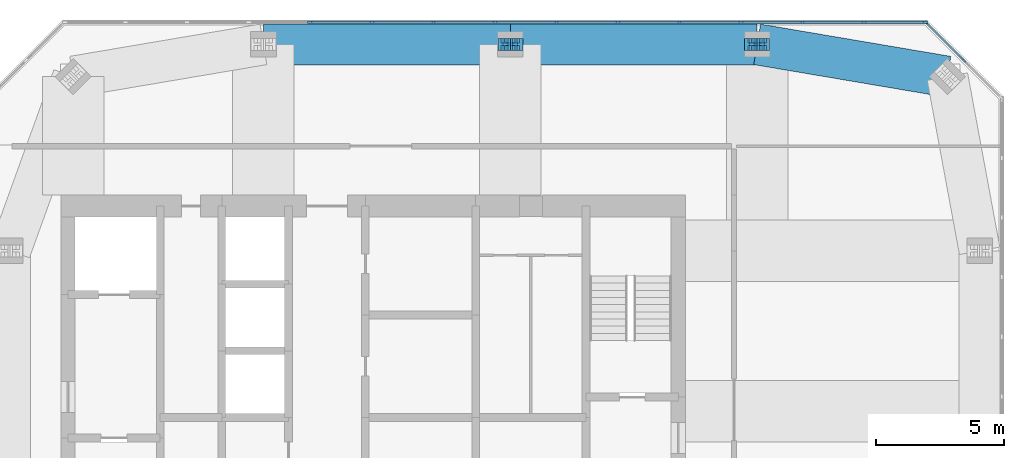
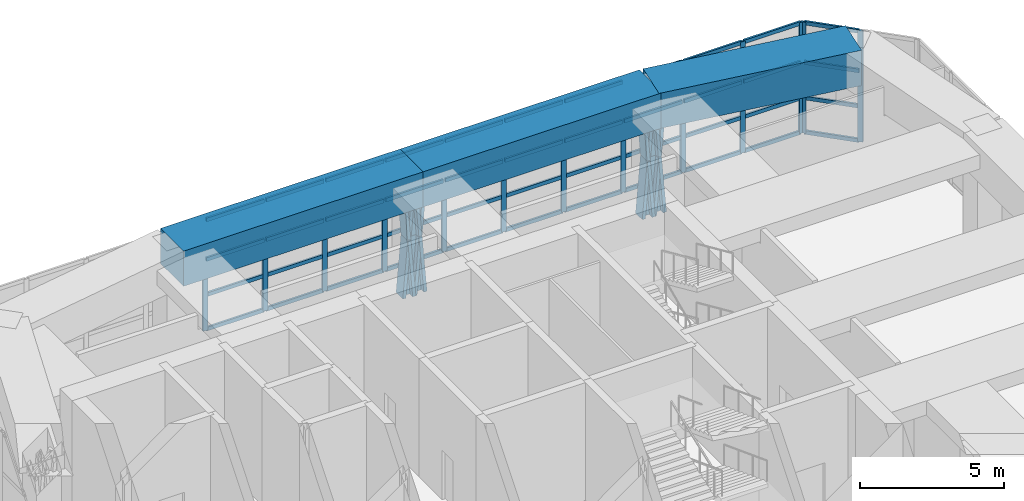
# One storey, part 7 of 14: 65 members, 3 beams, 2 elements without a shape of their own.
"""IFC4 building model written with IfcOpenShell, lengths in metres."""

from ifc_helpers import new_model, si_unit, direction, frame, origin, origin_2d, place, context, subcontext, project, spatial, rectangle, i_section, extrude, material, material_profile, profile_set, type_object, element, aggregate, save


model = new_model("IFC4")

# Units and contexts
model_context = context("Model", 3, precision=1e-05, world=origin(), true_north=direction((0.0, 1.0)))
body_context = subcontext(model_context, "Body", "Model", "MODEL_VIEW")
ifc_project = project(units=[si_unit("LENGTHUNIT", "METRE"), si_unit("AREAUNIT", "SQUARE_METRE"), si_unit("VOLUMEUNIT", "CUBIC_METRE"), si_unit("PLANEANGLEUNIT", "RADIAN"), si_unit("MASSUNIT", "GRAM", prefix="KILO")], contexts=[model_context])

# Site, building, storey
site_placement = place(None, origin())
site = spatial("IfcSite", under=ifc_project, at=site_placement, CompositionType="ELEMENT")
building_placement = place(site_placement, origin())
building = spatial("IfcBuilding", under=site, at=building_placement, Name="Jalousie Tower", CompositionType="ELEMENT")
storey_placement = place(building_placement, frame((0.0, 0.0, 267.75)))
storey = spatial("IfcBuildingStorey", under=building, at=storey_placement, Name="L73", CompositionType="ELEMENT", Elevation=267.75)

# Curtain wall, members
ifc_material_1 = material(Name="Aluminium curtain wall", Category="aluminium")
curtain_wall_type = type_object("IfcCurtainWallType", Name="CROWN LOUVRE WALL", PredefinedType="USERDEFINED", material=ifc_material_1)
curtain_wall_1_placement = place(storey_placement, origin())
curtain_wall_1 = element("IfcCurtainWall", 1, at=curtain_wall_1_placement, inside=storey, type_object=curtain_wall_type, Name="Crown Louvre Wall L73 4", ObjectType="CROWN LOUVRE WALL", PredefinedType="USERDEFINED")
ifc_material_2 = material(Name="Aluminium mullion", Category="aluminium")
ifc_material_profile_1 = material_profile(ifc_material_2, rectangle(XDim=0.080078125, YDim=0.199951171875, at=origin_2d()), Name="MULLION 80x200")
ifc_profile_set_1 = profile_set([ifc_material_profile_1], Name="Aluminium mullion")
member_type_1 = type_object("IfcMemberType", Name="CROWN LOUVRE WALL MULLION", PredefinedType="MULLION", material=ifc_profile_set_1)
member_1_placement = place(storey_placement, frame((54.9306640625, 32.4306640625, 0.0), z_axis=(0.0, 0.0, 1.0), x_axis=(-0.707106781187, -0.707106781187, 0.0)))
member_1 = element("IfcMember", 2, at=member_1_placement, type_object=member_type_1, Name="CW-L mullion 2", PredefinedType="MULLION", context=body_context, shape_type="SweptSolid", body=[
    extrude(rectangle(XDim=0.080078125, YDim=0.199951171875, at=origin_2d()), origin(), (0.0, 0.0, 1.0), 4.719970703125),
])
member_2_placement = place(storey_placement, frame((53.47705078125, 33.88427734375, 0.0), z_axis=(0.0, 0.0, 1.0), x_axis=(-0.707106781187, -0.707106781187, 0.0)))
member_2 = element("IfcMember", 3, at=member_2_placement, type_object=member_type_1, Name="CW-L mullion 3", PredefinedType="MULLION", context=body_context, shape_type="SweptSolid", body=[
    extrude(rectangle(XDim=0.080078125, YDim=0.199951171875, at=origin_2d()), origin(), (0.0, 0.0, 1.0), 4.719970703125),
])

curtain_wall_2_placement = place(storey_placement, origin())
curtain_wall_2 = element("IfcCurtainWall", 4, at=curtain_wall_2_placement, inside=storey, type_object=curtain_wall_type, Name="Crown Louvre Wall L73 5", ObjectType="CROWN LOUVRE WALL", PredefinedType="USERDEFINED")
member_3_placement = place(storey_placement, frame((53.40869140625, 33.91259765625, 0.0), z_axis=(0.0, 0.0, 1.0), x_axis=(0.0, -1.0, 0.0)))
member_3 = element("IfcMember", 5, at=member_3_placement, type_object=member_type_1, Name="CW-L mullion 1", PredefinedType="MULLION", context=body_context, shape_type="SweptSolid", body=[
    extrude(rectangle(XDim=0.080078125, YDim=0.199951171875, at=origin_2d()), origin(), (0.0, 0.0, 1.0), 4.719970703125),
])
member_4_placement = place(storey_placement, frame((51.048828125, 33.91259765625, 0.0), z_axis=(0.0, 0.0, 1.0), x_axis=(0.0, -1.0, 0.0)))
member_4 = element("IfcMember", 6, at=member_4_placement, type_object=member_type_1, Name="CW-L mullion 2", PredefinedType="MULLION", context=body_context, shape_type="SweptSolid", body=[
    extrude(rectangle(XDim=0.080078125, YDim=0.199951171875, at=origin_2d()), origin(), (0.0, 0.0, 1.0), 4.719970703125),
])
member_5_placement = place(storey_placement, frame((48.649169921875, 33.91259765625, 0.0), z_axis=(0.0, 0.0, 1.0), x_axis=(0.0, -1.0, 0.0)))
member_5 = element("IfcMember", 7, at=member_5_placement, type_object=member_type_1, Name="CW-L mullion 3", PredefinedType="MULLION", context=body_context, shape_type="SweptSolid", body=[
    extrude(rectangle(XDim=0.080078125, YDim=0.199951171875, at=origin_2d()), origin(), (0.0, 0.0, 1.0), 4.719970703125),
])
member_6_placement = place(storey_placement, frame((46.249267578125, 33.91259765625, 0.0), z_axis=(0.0, 0.0, 1.0), x_axis=(0.0, -1.0, 0.0)))
member_6 = element("IfcMember", 8, at=member_6_placement, type_object=member_type_1, Name="CW-L mullion 4", PredefinedType="MULLION", context=body_context, shape_type="SweptSolid", body=[
    extrude(rectangle(XDim=0.080078125, YDim=0.199951171875, at=origin_2d()), origin(), (0.0, 0.0, 1.0), 4.719970703125),
])
member_7_placement = place(storey_placement, frame((43.849365234375, 33.91259765625, 0.0), z_axis=(0.0, 0.0, 1.0), x_axis=(0.0, -1.0, 0.0)))
member_7 = element("IfcMember", 9, at=member_7_placement, type_object=member_type_1, Name="CW-L mullion 5", PredefinedType="MULLION", context=body_context, shape_type="SweptSolid", body=[
    extrude(rectangle(XDim=0.080078125, YDim=0.199951171875, at=origin_2d()), origin(), (0.0, 0.0, 1.0), 4.719970703125),
])
member_8_placement = place(storey_placement, frame((41.44970703125, 33.91259765625, 0.0), z_axis=(0.0, 0.0, 1.0), x_axis=(0.0, -1.0, 0.0)))
member_8 = element("IfcMember", 10, at=member_8_placement, type_object=member_type_1, Name="CW-L mullion 6", PredefinedType="MULLION", context=body_context, shape_type="SweptSolid", body=[
    extrude(rectangle(XDim=0.080078125, YDim=0.199951171875, at=origin_2d()), origin(), (0.0, 0.0, 1.0), 4.719970703125),
])
member_9_placement = place(storey_placement, frame((39.0498046875, 33.91259765625, 0.0), z_axis=(0.0, 0.0, 1.0), x_axis=(0.0, -1.0, 0.0)))
member_9 = element("IfcMember", 11, at=member_9_placement, type_object=member_type_1, Name="CW-L mullion 7", PredefinedType="MULLION", context=body_context, shape_type="SweptSolid", body=[
    extrude(rectangle(XDim=0.080078125, YDim=0.199951171875, at=origin_2d()), origin(), (0.0, 0.0, 1.0), 4.719970703125),
])
member_10_placement = place(storey_placement, frame((36.64990234375, 33.91259765625, 0.0), z_axis=(0.0, 0.0, 1.0), x_axis=(0.0, -1.0, 0.0)))
member_10 = element("IfcMember", 12, at=member_10_placement, type_object=member_type_1, Name="CW-L mullion 8", PredefinedType="MULLION", context=body_context, shape_type="SweptSolid", body=[
    extrude(rectangle(XDim=0.080078125, YDim=0.199951171875, at=origin_2d()), origin(), (0.0, 0.0, 1.0), 4.719970703125),
])
member_11_placement = place(storey_placement, frame((34.250244140625, 33.91259765625, 0.0), z_axis=(0.0, 0.0, 1.0), x_axis=(0.0, -1.0, 0.0)))
member_11 = element("IfcMember", 13, at=member_11_placement, type_object=member_type_1, Name="CW-L mullion 9", PredefinedType="MULLION", context=body_context, shape_type="SweptSolid", body=[
    extrude(rectangle(XDim=0.080078125, YDim=0.199951171875, at=origin_2d()), origin(), (0.0, 0.0, 1.0), 4.719970703125),
])
member_12_placement = place(storey_placement, frame((31.850341796875, 33.91259765625, 0.0), z_axis=(0.0, 0.0, 1.0), x_axis=(0.0, -1.0, 0.0)))
member_12 = element("IfcMember", 14, at=member_12_placement, type_object=member_type_1, Name="CW-L mullion 10", PredefinedType="MULLION", context=body_context, shape_type="SweptSolid", body=[
    extrude(rectangle(XDim=0.080078125, YDim=0.199951171875, at=origin_2d()), origin(), (0.0, 0.0, 1.0), 4.719970703125),
])
member_13_placement = place(storey_placement, frame((29.450439453125, 33.91259765625, 0.0), z_axis=(0.0, 0.0, 1.0), x_axis=(0.0, -1.0, 0.0)))
member_13 = element("IfcMember", 15, at=member_13_placement, type_object=member_type_1, Name="CW-L mullion 11", PredefinedType="MULLION", context=body_context, shape_type="SweptSolid", body=[
    extrude(rectangle(XDim=0.080078125, YDim=0.199951171875, at=origin_2d()), origin(), (0.0, 0.0, 1.0), 4.719970703125),
])

# Member
ifc_material_3 = material(Name="Aluminium transom", Category="aluminium")
ifc_material_profile_2 = material_profile(ifc_material_3, rectangle(XDim=0.080078125, YDim=0.159912109375, at=origin_2d()), Name="TRANSOM 80x160")
ifc_profile_set_2 = profile_set([ifc_material_profile_2], Name="Aluminium transom")
member_type_2 = type_object("IfcMemberType", Name="CROWN LOUVRE WALL TRANSOM", PredefinedType="USERDEFINED", material=ifc_profile_set_2)
member_14_placement = place(storey_placement, frame((54.90234375, 32.458984375, 0.0400390625), z_axis=(-0.707106781187, 0.707106781187, 0.0), x_axis=(-0.707106781187, -0.707106781187, 0.0)))
member_14 = element("IfcMember", 16, at=member_14_placement, type_object=member_type_2, Name="CW-L transom 2.1", ObjectType="TRANSOM", PredefinedType="USERDEFINED", context=body_context, shape_type="SweptSolid", body=[
    extrude(rectangle(XDim=0.080078125, YDim=0.159912109375, at=origin_2d()), origin(), (0.0, 0.0, 1.0), 1.9755859375),
])

member_15_placement = place(storey_placement, frame((54.90234375, 32.458984375, 1.5), z_axis=(-0.707106781187, 0.707106781187, 0.0), x_axis=(-0.707106781187, -0.707106781187, 0.0)))
member_15 = element("IfcMember", 17, at=member_15_placement, type_object=member_type_2, Name="CW-L transom 2.2", ObjectType="TRANSOM", PredefinedType="USERDEFINED", context=body_context, shape_type="SweptSolid", body=[
    extrude(rectangle(XDim=0.080078125, YDim=0.159912109375, at=origin_2d()), origin(), (0.0, 0.0, 1.0), 1.9755859375),
])

member_16_placement = place(storey_placement, frame((54.90234375, 32.458984375, 3.0), z_axis=(-0.707106781187, 0.707106781187, 0.0), x_axis=(-0.707106781187, -0.707106781187, 0.0)))
member_16 = element("IfcMember", 18, at=member_16_placement, type_object=member_type_2, Name="CW-L transom 2.3", ObjectType="TRANSOM", PredefinedType="USERDEFINED", context=body_context, shape_type="SweptSolid", body=[
    extrude(rectangle(XDim=0.080078125, YDim=0.159912109375, at=origin_2d()), origin(), (0.0, 0.0, 1.0), 1.9755859375),
])

member_17_placement = place(storey_placement, frame((54.90234375, 32.458984375, 4.679931640625), z_axis=(-0.707106781187, 0.707106781187, 0.0), x_axis=(-0.707106781187, -0.707106781187, 0.0)))
member_17 = element("IfcMember", 19, at=member_17_placement, type_object=member_type_2, Name="CW-L transom 2.4", ObjectType="TRANSOM", PredefinedType="USERDEFINED", context=body_context, shape_type="SweptSolid", body=[
    extrude(rectangle(XDim=0.080078125, YDim=0.159912109375, at=origin_2d()), origin(), (0.0, 0.0, 1.0), 1.9755859375),
])

aggregate(curtain_wall_1, [member_1, member_2, member_14, member_15, member_16, member_17])

member_18_placement = place(storey_placement, frame((53.36865234375, 33.91259765625, 0.0400390625), z_axis=(-1.0, 0.0, 0.0), x_axis=(0.0, -1.0, 0.0)))
member_18 = element("IfcMember", 20, at=member_18_placement, type_object=member_type_2, Name="CW-L transom 1.1", ObjectType="TRANSOM", PredefinedType="USERDEFINED", context=body_context, shape_type="SweptSolid", body=[
    extrude(rectangle(XDim=0.080078125, YDim=0.159912109375, at=origin_2d()), origin(), (0.0, 0.0, 1.0), 2.27978515625),
])

member_19_placement = place(storey_placement, frame((53.36865234375, 33.91259765625, 1.5), z_axis=(-1.0, 0.0, 0.0), x_axis=(0.0, -1.0, 0.0)))
member_19 = element("IfcMember", 21, at=member_19_placement, type_object=member_type_2, Name="CW-L transom 1.2", ObjectType="TRANSOM", PredefinedType="USERDEFINED", context=body_context, shape_type="SweptSolid", body=[
    extrude(rectangle(XDim=0.080078125, YDim=0.159912109375, at=origin_2d()), origin(), (0.0, 0.0, 1.0), 2.27978515625),
])

member_20_placement = place(storey_placement, frame((53.36865234375, 33.91259765625, 3.0), z_axis=(-1.0, 0.0, 0.0), x_axis=(0.0, -1.0, 0.0)))
member_20 = element("IfcMember", 22, at=member_20_placement, type_object=member_type_2, Name="CW-L transom 1.3", ObjectType="TRANSOM", PredefinedType="USERDEFINED", context=body_context, shape_type="SweptSolid", body=[
    extrude(rectangle(XDim=0.080078125, YDim=0.159912109375, at=origin_2d()), origin(), (0.0, 0.0, 1.0), 2.27978515625),
])

member_21_placement = place(storey_placement, frame((53.36865234375, 33.91259765625, 4.679931640625), z_axis=(-1.0, 0.0, 0.0), x_axis=(0.0, -1.0, 0.0)))
member_21 = element("IfcMember", 23, at=member_21_placement, type_object=member_type_2, Name="CW-L transom 1.4", ObjectType="TRANSOM", PredefinedType="USERDEFINED", context=body_context, shape_type="SweptSolid", body=[
    extrude(rectangle(XDim=0.080078125, YDim=0.159912109375, at=origin_2d()), origin(), (0.0, 0.0, 1.0), 2.27978515625),
])

member_22_placement = place(storey_placement, frame((51.0087890625, 33.91259765625, 0.0400390625), z_axis=(-1.0, 0.0, 0.0), x_axis=(0.0, -1.0, 0.0)))
member_22 = element("IfcMember", 24, at=member_22_placement, type_object=member_type_2, Name="CW-L transom 2.1", ObjectType="TRANSOM", PredefinedType="USERDEFINED", context=body_context, shape_type="SweptSolid", body=[
    extrude(rectangle(XDim=0.080078125, YDim=0.159912109375, at=origin_2d()), origin(), (0.0, 0.0, 1.0), 2.31982421875),
])

member_23_placement = place(storey_placement, frame((51.0087890625, 33.91259765625, 1.5), z_axis=(-1.0, 0.0, 0.0), x_axis=(0.0, -1.0, 0.0)))
member_23 = element("IfcMember", 25, at=member_23_placement, type_object=member_type_2, Name="CW-L transom 2.2", ObjectType="TRANSOM", PredefinedType="USERDEFINED", context=body_context, shape_type="SweptSolid", body=[
    extrude(rectangle(XDim=0.080078125, YDim=0.159912109375, at=origin_2d()), origin(), (0.0, 0.0, 1.0), 2.31982421875),
])

member_24_placement = place(storey_placement, frame((51.0087890625, 33.91259765625, 3.0), z_axis=(-1.0, 0.0, 0.0), x_axis=(0.0, -1.0, 0.0)))
member_24 = element("IfcMember", 26, at=member_24_placement, type_object=member_type_2, Name="CW-L transom 2.3", ObjectType="TRANSOM", PredefinedType="USERDEFINED", context=body_context, shape_type="SweptSolid", body=[
    extrude(rectangle(XDim=0.080078125, YDim=0.159912109375, at=origin_2d()), origin(), (0.0, 0.0, 1.0), 2.31982421875),
])

member_25_placement = place(storey_placement, frame((51.0087890625, 33.91259765625, 4.679931640625), z_axis=(-1.0, 0.0, 0.0), x_axis=(0.0, -1.0, 0.0)))
member_25 = element("IfcMember", 27, at=member_25_placement, type_object=member_type_2, Name="CW-L transom 2.4", ObjectType="TRANSOM", PredefinedType="USERDEFINED", context=body_context, shape_type="SweptSolid", body=[
    extrude(rectangle(XDim=0.080078125, YDim=0.159912109375, at=origin_2d()), origin(), (0.0, 0.0, 1.0), 2.31982421875),
])

member_26_placement = place(storey_placement, frame((48.609130859375, 33.91259765625, 0.0400390625), z_axis=(-1.0, 0.0, 0.0), x_axis=(0.0, -1.0, 0.0)))
member_26 = element("IfcMember", 28, at=member_26_placement, type_object=member_type_2, Name="CW-L transom 3.1", ObjectType="TRANSOM", PredefinedType="USERDEFINED", context=body_context, shape_type="SweptSolid", body=[
    extrude(rectangle(XDim=0.080078125, YDim=0.159912109375, at=origin_2d()), origin(), (0.0, 0.0, 1.0), 2.31982421875),
])

member_27_placement = place(storey_placement, frame((48.609130859375, 33.91259765625, 1.5), z_axis=(-1.0, 0.0, 0.0), x_axis=(0.0, -1.0, 0.0)))
member_27 = element("IfcMember", 29, at=member_27_placement, type_object=member_type_2, Name="CW-L transom 3.2", ObjectType="TRANSOM", PredefinedType="USERDEFINED", context=body_context, shape_type="SweptSolid", body=[
    extrude(rectangle(XDim=0.080078125, YDim=0.159912109375, at=origin_2d()), origin(), (0.0, 0.0, 1.0), 2.31982421875),
])

member_28_placement = place(storey_placement, frame((48.609130859375, 33.91259765625, 3.0), z_axis=(-1.0, 0.0, 0.0), x_axis=(0.0, -1.0, 0.0)))
member_28 = element("IfcMember", 30, at=member_28_placement, type_object=member_type_2, Name="CW-L transom 3.3", ObjectType="TRANSOM", PredefinedType="USERDEFINED", context=body_context, shape_type="SweptSolid", body=[
    extrude(rectangle(XDim=0.080078125, YDim=0.159912109375, at=origin_2d()), origin(), (0.0, 0.0, 1.0), 2.31982421875),
])

member_29_placement = place(storey_placement, frame((48.609130859375, 33.91259765625, 4.679931640625), z_axis=(-1.0, 0.0, 0.0), x_axis=(0.0, -1.0, 0.0)))
member_29 = element("IfcMember", 31, at=member_29_placement, type_object=member_type_2, Name="CW-L transom 3.4", ObjectType="TRANSOM", PredefinedType="USERDEFINED", context=body_context, shape_type="SweptSolid", body=[
    extrude(rectangle(XDim=0.080078125, YDim=0.159912109375, at=origin_2d()), origin(), (0.0, 0.0, 1.0), 2.31982421875),
])

member_30_placement = place(storey_placement, frame((46.209228515625, 33.91259765625, 0.0400390625), z_axis=(-1.0, 0.0, 0.0), x_axis=(0.0, -1.0, 0.0)))
member_30 = element("IfcMember", 32, at=member_30_placement, type_object=member_type_2, Name="CW-L transom 4.1", ObjectType="TRANSOM", PredefinedType="USERDEFINED", context=body_context, shape_type="SweptSolid", body=[
    extrude(rectangle(XDim=0.080078125, YDim=0.159912109375, at=origin_2d()), origin(), (0.0, 0.0, 1.0), 2.31982421875),
])

member_31_placement = place(storey_placement, frame((46.209228515625, 33.91259765625, 1.5), z_axis=(-1.0, 0.0, 0.0), x_axis=(0.0, -1.0, 0.0)))
member_31 = element("IfcMember", 33, at=member_31_placement, type_object=member_type_2, Name="CW-L transom 4.2", ObjectType="TRANSOM", PredefinedType="USERDEFINED", context=body_context, shape_type="SweptSolid", body=[
    extrude(rectangle(XDim=0.080078125, YDim=0.159912109375, at=origin_2d()), origin(), (0.0, 0.0, 1.0), 2.31982421875),
])

member_32_placement = place(storey_placement, frame((46.209228515625, 33.91259765625, 3.0), z_axis=(-1.0, 0.0, 0.0), x_axis=(0.0, -1.0, 0.0)))
member_32 = element("IfcMember", 34, at=member_32_placement, type_object=member_type_2, Name="CW-L transom 4.3", ObjectType="TRANSOM", PredefinedType="USERDEFINED", context=body_context, shape_type="SweptSolid", body=[
    extrude(rectangle(XDim=0.080078125, YDim=0.159912109375, at=origin_2d()), origin(), (0.0, 0.0, 1.0), 2.31982421875),
])

member_33_placement = place(storey_placement, frame((46.209228515625, 33.91259765625, 4.679931640625), z_axis=(-1.0, 0.0, 0.0), x_axis=(0.0, -1.0, 0.0)))
member_33 = element("IfcMember", 35, at=member_33_placement, type_object=member_type_2, Name="CW-L transom 4.4", ObjectType="TRANSOM", PredefinedType="USERDEFINED", context=body_context, shape_type="SweptSolid", body=[
    extrude(rectangle(XDim=0.080078125, YDim=0.159912109375, at=origin_2d()), origin(), (0.0, 0.0, 1.0), 2.31982421875),
])

member_34_placement = place(storey_placement, frame((43.809326171875, 33.91259765625, 0.0400390625), z_axis=(-1.0, 0.0, 0.0), x_axis=(0.0, -1.0, 0.0)))
member_34 = element("IfcMember", 36, at=member_34_placement, type_object=member_type_2, Name="CW-L transom 5.1", ObjectType="TRANSOM", PredefinedType="USERDEFINED", context=body_context, shape_type="SweptSolid", body=[
    extrude(rectangle(XDim=0.080078125, YDim=0.159912109375, at=origin_2d()), origin(), (0.0, 0.0, 1.0), 2.319580078125),
])

member_35_placement = place(storey_placement, frame((43.809326171875, 33.91259765625, 1.5), z_axis=(-1.0, 0.0, 0.0), x_axis=(0.0, -1.0, 0.0)))
member_35 = element("IfcMember", 37, at=member_35_placement, type_object=member_type_2, Name="CW-L transom 5.2", ObjectType="TRANSOM", PredefinedType="USERDEFINED", context=body_context, shape_type="SweptSolid", body=[
    extrude(rectangle(XDim=0.080078125, YDim=0.159912109375, at=origin_2d()), origin(), (0.0, 0.0, 1.0), 2.319580078125),
])

member_36_placement = place(storey_placement, frame((43.809326171875, 33.91259765625, 3.0), z_axis=(-1.0, 0.0, 0.0), x_axis=(0.0, -1.0, 0.0)))
member_36 = element("IfcMember", 38, at=member_36_placement, type_object=member_type_2, Name="CW-L transom 5.3", ObjectType="TRANSOM", PredefinedType="USERDEFINED", context=body_context, shape_type="SweptSolid", body=[
    extrude(rectangle(XDim=0.080078125, YDim=0.159912109375, at=origin_2d()), origin(), (0.0, 0.0, 1.0), 2.319580078125),
])

member_37_placement = place(storey_placement, frame((43.809326171875, 33.91259765625, 4.679931640625), z_axis=(-1.0, 0.0, 0.0), x_axis=(0.0, -1.0, 0.0)))
member_37 = element("IfcMember", 39, at=member_37_placement, type_object=member_type_2, Name="CW-L transom 5.4", ObjectType="TRANSOM", PredefinedType="USERDEFINED", context=body_context, shape_type="SweptSolid", body=[
    extrude(rectangle(XDim=0.080078125, YDim=0.159912109375, at=origin_2d()), origin(), (0.0, 0.0, 1.0), 2.319580078125),
])

member_38_placement = place(storey_placement, frame((41.40966796875, 33.91259765625, 0.0400390625), z_axis=(-1.0, 0.0, 0.0), x_axis=(0.0, -1.0, 0.0)))
member_38 = element("IfcMember", 40, at=member_38_placement, type_object=member_type_2, Name="CW-L transom 6.1", ObjectType="TRANSOM", PredefinedType="USERDEFINED", context=body_context, shape_type="SweptSolid", body=[
    extrude(rectangle(XDim=0.080078125, YDim=0.159912109375, at=origin_2d()), origin(), (0.0, 0.0, 1.0), 2.31982421875),
])

member_39_placement = place(storey_placement, frame((41.40966796875, 33.91259765625, 1.5), z_axis=(-1.0, 0.0, 0.0), x_axis=(0.0, -1.0, 0.0)))
member_39 = element("IfcMember", 41, at=member_39_placement, type_object=member_type_2, Name="CW-L transom 6.2", ObjectType="TRANSOM", PredefinedType="USERDEFINED", context=body_context, shape_type="SweptSolid", body=[
    extrude(rectangle(XDim=0.080078125, YDim=0.159912109375, at=origin_2d()), origin(), (0.0, 0.0, 1.0), 2.31982421875),
])

member_40_placement = place(storey_placement, frame((41.40966796875, 33.91259765625, 3.0), z_axis=(-1.0, 0.0, 0.0), x_axis=(0.0, -1.0, 0.0)))
member_40 = element("IfcMember", 42, at=member_40_placement, type_object=member_type_2, Name="CW-L transom 6.3", ObjectType="TRANSOM", PredefinedType="USERDEFINED", context=body_context, shape_type="SweptSolid", body=[
    extrude(rectangle(XDim=0.080078125, YDim=0.159912109375, at=origin_2d()), origin(), (0.0, 0.0, 1.0), 2.31982421875),
])

member_41_placement = place(storey_placement, frame((41.40966796875, 33.91259765625, 4.679931640625), z_axis=(-1.0, 0.0, 0.0), x_axis=(0.0, -1.0, 0.0)))
member_41 = element("IfcMember", 43, at=member_41_placement, type_object=member_type_2, Name="CW-L transom 6.4", ObjectType="TRANSOM", PredefinedType="USERDEFINED", context=body_context, shape_type="SweptSolid", body=[
    extrude(rectangle(XDim=0.080078125, YDim=0.159912109375, at=origin_2d()), origin(), (0.0, 0.0, 1.0), 2.31982421875),
])

member_42_placement = place(storey_placement, frame((39.009765625, 33.91259765625, 0.0400390625), z_axis=(-1.0, 0.0, 0.0), x_axis=(0.0, -1.0, 0.0)))
member_42 = element("IfcMember", 44, at=member_42_placement, type_object=member_type_2, Name="CW-L transom 7.1", ObjectType="TRANSOM", PredefinedType="USERDEFINED", context=body_context, shape_type="SweptSolid", body=[
    extrude(rectangle(XDim=0.080078125, YDim=0.159912109375, at=origin_2d()), origin(), (0.0, 0.0, 1.0), 2.31982421875),
])

member_43_placement = place(storey_placement, frame((39.009765625, 33.91259765625, 1.5), z_axis=(-1.0, 0.0, 0.0), x_axis=(0.0, -1.0, 0.0)))
member_43 = element("IfcMember", 45, at=member_43_placement, type_object=member_type_2, Name="CW-L transom 7.2", ObjectType="TRANSOM", PredefinedType="USERDEFINED", context=body_context, shape_type="SweptSolid", body=[
    extrude(rectangle(XDim=0.080078125, YDim=0.159912109375, at=origin_2d()), origin(), (0.0, 0.0, 1.0), 2.31982421875),
])

member_44_placement = place(storey_placement, frame((39.009765625, 33.91259765625, 3.0), z_axis=(-1.0, 0.0, 0.0), x_axis=(0.0, -1.0, 0.0)))
member_44 = element("IfcMember", 46, at=member_44_placement, type_object=member_type_2, Name="CW-L transom 7.3", ObjectType="TRANSOM", PredefinedType="USERDEFINED", context=body_context, shape_type="SweptSolid", body=[
    extrude(rectangle(XDim=0.080078125, YDim=0.159912109375, at=origin_2d()), origin(), (0.0, 0.0, 1.0), 2.31982421875),
])

member_45_placement = place(storey_placement, frame((39.009765625, 33.91259765625, 4.679931640625), z_axis=(-1.0, 0.0, 0.0), x_axis=(0.0, -1.0, 0.0)))
member_45 = element("IfcMember", 47, at=member_45_placement, type_object=member_type_2, Name="CW-L transom 7.4", ObjectType="TRANSOM", PredefinedType="USERDEFINED", context=body_context, shape_type="SweptSolid", body=[
    extrude(rectangle(XDim=0.080078125, YDim=0.159912109375, at=origin_2d()), origin(), (0.0, 0.0, 1.0), 2.31982421875),
])

member_46_placement = place(storey_placement, frame((36.610107421875, 33.91259765625, 0.0400390625), z_axis=(-1.0, 0.0, 0.0), x_axis=(0.0, -1.0, 0.0)))
member_46 = element("IfcMember", 48, at=member_46_placement, type_object=member_type_2, Name="CW-L transom 8.1", ObjectType="TRANSOM", PredefinedType="USERDEFINED", context=body_context, shape_type="SweptSolid", body=[
    extrude(rectangle(XDim=0.080078125, YDim=0.159912109375, at=origin_2d()), origin(), (0.0, 0.0, 1.0), 2.31982421875),
])

member_47_placement = place(storey_placement, frame((36.610107421875, 33.91259765625, 1.5), z_axis=(-1.0, 0.0, 0.0), x_axis=(0.0, -1.0, 0.0)))
member_47 = element("IfcMember", 49, at=member_47_placement, type_object=member_type_2, Name="CW-L transom 8.2", ObjectType="TRANSOM", PredefinedType="USERDEFINED", context=body_context, shape_type="SweptSolid", body=[
    extrude(rectangle(XDim=0.080078125, YDim=0.159912109375, at=origin_2d()), origin(), (0.0, 0.0, 1.0), 2.31982421875),
])

member_48_placement = place(storey_placement, frame((36.610107421875, 33.91259765625, 3.0), z_axis=(-1.0, 0.0, 0.0), x_axis=(0.0, -1.0, 0.0)))
member_48 = element("IfcMember", 50, at=member_48_placement, type_object=member_type_2, Name="CW-L transom 8.3", ObjectType="TRANSOM", PredefinedType="USERDEFINED", context=body_context, shape_type="SweptSolid", body=[
    extrude(rectangle(XDim=0.080078125, YDim=0.159912109375, at=origin_2d()), origin(), (0.0, 0.0, 1.0), 2.31982421875),
])

member_49_placement = place(storey_placement, frame((36.610107421875, 33.91259765625, 4.679931640625), z_axis=(-1.0, 0.0, 0.0), x_axis=(0.0, -1.0, 0.0)))
member_49 = element("IfcMember", 51, at=member_49_placement, type_object=member_type_2, Name="CW-L transom 8.4", ObjectType="TRANSOM", PredefinedType="USERDEFINED", context=body_context, shape_type="SweptSolid", body=[
    extrude(rectangle(XDim=0.080078125, YDim=0.159912109375, at=origin_2d()), origin(), (0.0, 0.0, 1.0), 2.31982421875),
])

member_50_placement = place(storey_placement, frame((34.210205078125, 33.91259765625, 0.0400390625), z_axis=(-1.0, 0.0, 0.0), x_axis=(0.0, -1.0, 0.0)))
member_50 = element("IfcMember", 52, at=member_50_placement, type_object=member_type_2, Name="CW-L transom 9.1", ObjectType="TRANSOM", PredefinedType="USERDEFINED", context=body_context, shape_type="SweptSolid", body=[
    extrude(rectangle(XDim=0.080078125, YDim=0.159912109375, at=origin_2d()), origin(), (0.0, 0.0, 1.0), 2.31982421875),
])

member_51_placement = place(storey_placement, frame((34.210205078125, 33.91259765625, 1.5), z_axis=(-1.0, 0.0, 0.0), x_axis=(0.0, -1.0, 0.0)))
member_51 = element("IfcMember", 53, at=member_51_placement, type_object=member_type_2, Name="CW-L transom 9.2", ObjectType="TRANSOM", PredefinedType="USERDEFINED", context=body_context, shape_type="SweptSolid", body=[
    extrude(rectangle(XDim=0.080078125, YDim=0.159912109375, at=origin_2d()), origin(), (0.0, 0.0, 1.0), 2.31982421875),
])

member_52_placement = place(storey_placement, frame((34.210205078125, 33.91259765625, 3.0), z_axis=(-1.0, 0.0, 0.0), x_axis=(0.0, -1.0, 0.0)))
member_52 = element("IfcMember", 54, at=member_52_placement, type_object=member_type_2, Name="CW-L transom 9.3", ObjectType="TRANSOM", PredefinedType="USERDEFINED", context=body_context, shape_type="SweptSolid", body=[
    extrude(rectangle(XDim=0.080078125, YDim=0.159912109375, at=origin_2d()), origin(), (0.0, 0.0, 1.0), 2.31982421875),
])

member_53_placement = place(storey_placement, frame((34.210205078125, 33.91259765625, 4.679931640625), z_axis=(-1.0, 0.0, 0.0), x_axis=(0.0, -1.0, 0.0)))
member_53 = element("IfcMember", 55, at=member_53_placement, type_object=member_type_2, Name="CW-L transom 9.4", ObjectType="TRANSOM", PredefinedType="USERDEFINED", context=body_context, shape_type="SweptSolid", body=[
    extrude(rectangle(XDim=0.080078125, YDim=0.159912109375, at=origin_2d()), origin(), (0.0, 0.0, 1.0), 2.31982421875),
])

member_54_placement = place(storey_placement, frame((31.810302734375, 33.91259765625, 0.0400390625), z_axis=(-1.0, 0.0, 0.0), x_axis=(0.0, -1.0, 0.0)))
member_54 = element("IfcMember", 56, at=member_54_placement, type_object=member_type_2, Name="CW-L transom 10.1", ObjectType="TRANSOM", PredefinedType="USERDEFINED", context=body_context, shape_type="SweptSolid", body=[
    extrude(rectangle(XDim=0.080078125, YDim=0.159912109375, at=origin_2d()), origin(), (0.0, 0.0, 1.0), 2.31982421875),
])

member_55_placement = place(storey_placement, frame((31.810302734375, 33.91259765625, 1.5), z_axis=(-1.0, 0.0, 0.0), x_axis=(0.0, -1.0, 0.0)))
member_55 = element("IfcMember", 57, at=member_55_placement, type_object=member_type_2, Name="CW-L transom 10.2", ObjectType="TRANSOM", PredefinedType="USERDEFINED", context=body_context, shape_type="SweptSolid", body=[
    extrude(rectangle(XDim=0.080078125, YDim=0.159912109375, at=origin_2d()), origin(), (0.0, 0.0, 1.0), 2.31982421875),
])

member_56_placement = place(storey_placement, frame((31.810302734375, 33.91259765625, 3.0), z_axis=(-1.0, 0.0, 0.0), x_axis=(0.0, -1.0, 0.0)))
member_56 = element("IfcMember", 58, at=member_56_placement, type_object=member_type_2, Name="CW-L transom 10.3", ObjectType="TRANSOM", PredefinedType="USERDEFINED", context=body_context, shape_type="SweptSolid", body=[
    extrude(rectangle(XDim=0.080078125, YDim=0.159912109375, at=origin_2d()), origin(), (0.0, 0.0, 1.0), 2.31982421875),
])

member_57_placement = place(storey_placement, frame((31.810302734375, 33.91259765625, 4.679931640625), z_axis=(-1.0, 0.0, 0.0), x_axis=(0.0, -1.0, 0.0)))
member_57 = element("IfcMember", 59, at=member_57_placement, type_object=member_type_2, Name="CW-L transom 10.4", ObjectType="TRANSOM", PredefinedType="USERDEFINED", context=body_context, shape_type="SweptSolid", body=[
    extrude(rectangle(XDim=0.080078125, YDim=0.159912109375, at=origin_2d()), origin(), (0.0, 0.0, 1.0), 2.31982421875),
])

aggregate(curtain_wall_2, [member_3, member_4, member_5, member_6, member_7, member_8, member_9, member_10, member_11, member_12, member_13, member_18, member_19, member_20, member_21, member_22, member_23, member_24, member_25, member_26, member_27, member_28, member_29, member_30, member_31, member_32, member_33, member_34, member_35, member_36, member_37, member_38, member_39, member_40, member_41, member_42, member_43, member_44, member_45, member_46, member_47, member_48, member_49, member_50, member_51, member_52, member_53, member_54, member_55, member_56, member_57])

# Members
ifc_material_4 = material(Name="Steel ASTM A992 Grade 50", Category="steel")
ifc_material_profile_3 = material_profile(ifc_material_4, i_section(OverallWidth=0.472412109375, OverallDepth=0.5791015625, WebThickness=0.094970703125, FlangeThickness=0.1298828125, at=origin_2d()), Name="W14X808")
ifc_profile_set_3 = profile_set([ifc_material_profile_3], Name="Steel ASTM A992 Grade 50")
member_type_3 = type_object("IfcMemberType", Name="PERIMETER BRACE W14X808", PredefinedType="BRACE", material=ifc_profile_set_3)
for number, where, z_axis, x_axis, name in (
    (60, (46.675048828125, 33.050048828125, -0.60009765625), (0.08217357985, 0.0, 0.996618032535), (0.0, 1.0, 0.0), "Perimeter brace 09 L73 part 1"),
    (61, (46.875, 33.050048828125, 1.824951171875), (0.08217357985, 0.0, 0.996618032535), (0.0, 1.0, 0.0), "Perimeter brace 09 L73 part 2"),
    (62, (47.074951171875, 33.050048828125, -0.60009765625), (-0.08217357985, 0.0, 0.996618032535), (0.0, -1.0, 0.0), "Perimeter brace 09 L73 part 3"),
    (63, (46.875, 33.050048828125, 1.824951171875), (-0.08217357985, 0.0, 0.996618032535), (0.0, -1.0, 0.0), "Perimeter brace 09 L73 part 4"),
    (64, (37.050048828125, 33.050048828125, -0.60009765625), (0.08217357985, 0.0, 0.996618032535), (0.0, 1.0, 0.0), "Perimeter brace 10 L73 part 1"),
    (65, (37.25, 33.050048828125, 1.824951171875), (0.08217357985, 0.0, 0.996618032535), (0.0, 1.0, 0.0), "Perimeter brace 10 L73 part 2"),
    (66, (37.449951171875, 33.050048828125, -0.60009765625), (-0.08217357985, 0.0, 0.996618032535), (0.0, -1.0, 0.0), "Perimeter brace 10 L73 part 3"),
    (67, (37.25, 33.050048828125, 1.824951171875), (-0.08217357985, 0.0, 0.996618032535), (0.0, -1.0, 0.0), "Perimeter brace 10 L73 part 4"),
):
    element("IfcMember", number, at=place(storey_placement, frame(where, z_axis=z_axis, x_axis=x_axis)), inside=storey, type_object=member_type_3, Name=name, PredefinedType="BRACE", context=body_context, shape_type="SweptSolid", body=[
        extrude(i_section(OverallWidth=0.472412109375, OverallDepth=0.5791015625, WebThickness=0.094970703125, FlangeThickness=0.1298828125, at=origin_2d()), origin(), (0.0, 0.0, 1.0), 2.433349609375),
    ])

# Beams
ifc_material_5 = material(Name="Concrete f'c 40 MPa", Category="concrete")
ifc_material_profile_4 = material_profile(ifc_material_5, rectangle(XDim=1.60009765625, YDim=1.5, at=origin_2d()), Name="RC 1600x1500")
ifc_profile_set_4 = profile_set([ifc_material_profile_4], Name="Concrete f'c 40 MPa")
beam_type = type_object("IfcBeamType", Name="RC BEAM 1600x1500", PredefinedType="BEAM", material=ifc_profile_set_4)
beam_placement = place(storey_placement, frame((54.29296875, 31.79296875, 4.25), z_axis=(-0.985942997446, 0.167082033105, 0.0), x_axis=(-0.167082033105, -0.985942997446, 0.0)))
element("IfcBeam", 68, at=beam_placement, inside=storey, type_object=beam_type, Name="Edge band beam 08-09 under L74", PredefinedType="BEAM", context=body_context, shape_type="SweptSolid", body=[
    extrude(rectangle(XDim=1.60009765625, YDim=1.5, at=origin_2d()), origin(), (0.0, 0.0, 1.0), 7.523681640625),
])
for number, where, z_axis, x_axis, name in (
    (69, (46.875, 33.050048828125, 4.25), (-1.0, 0.0, 0.0), (0.0, -1.0, 0.0), "Edge band beam 09-10 under L74"),
    (70, (37.25, 33.050048828125, 4.25), (-1.0, 0.0, 0.0), (0.0, -1.0, 0.0), "Edge band beam 10-11 under L74"),
):
    element("IfcBeam", number, at=place(storey_placement, frame(where, z_axis=z_axis, x_axis=x_axis)), inside=storey, type_object=beam_type, Name=name, PredefinedType="BEAM", context=body_context, shape_type="SweptSolid", body=[
        extrude(rectangle(XDim=1.60009765625, YDim=1.5, at=origin_2d()), origin(), (0.0, 0.0, 1.0), 9.625),
    ])

save(model, "model.ifc")
